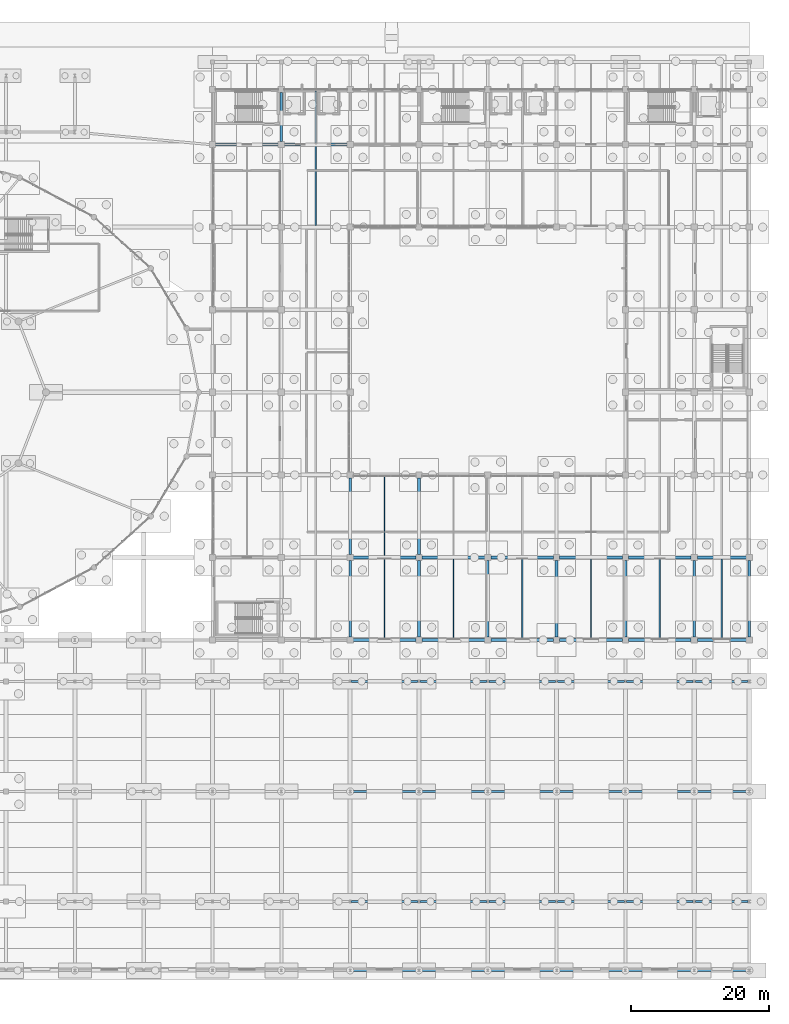
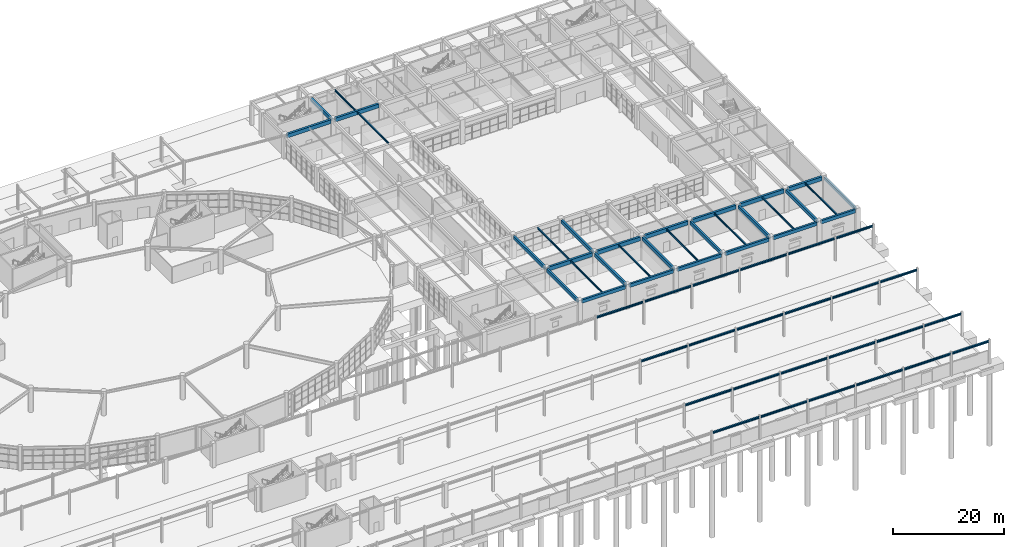
# One storey, part 53 of 99: 57 beams.
"""IFC4 building model written with IfcOpenShell, lengths in metres."""

from ifc_helpers import new_model, si_unit, direction, frame, origin, origin_2d, place, context, subcontext, project, spatial, rectangle, i_section, extrude, material, material_profile, profile_set, type_object, element, save


model = new_model("IFC4")

# Units and contexts
model_context = context("Model", 3, precision=1e-05, world=origin(), true_north=direction((0.0, 1.0)))
body_context = subcontext(model_context, "Body", "Model", "MODEL_VIEW")
ifc_project = project(units=[si_unit("LENGTHUNIT", "METRE"), si_unit("AREAUNIT", "SQUARE_METRE"), si_unit("VOLUMEUNIT", "CUBIC_METRE"), si_unit("PLANEANGLEUNIT", "RADIAN"), si_unit("MASSUNIT", "GRAM", prefix="KILO")], contexts=[model_context])

# Site, building, storey
site_placement = place(None, origin())
site = spatial("IfcSite", under=ifc_project, at=site_placement, CompositionType="ELEMENT")
building_placement = place(site_placement, origin())
building = spatial("IfcBuilding", under=site, at=building_placement, Name="Kivolera Central Railway Station", CompositionType="ELEMENT")
storey_placement = place(building_placement, origin())
storey = spatial("IfcBuildingStorey", under=building, at=storey_placement, Name="L00", CompositionType="ELEMENT", Elevation=0.0)

# Beams
ifc_material_1 = material(Name="Steel S355", Category="steel")
ifc_material_profile_1 = material_profile(ifc_material_1, i_section(OverallWidth=0.179931640625, OverallDepth=0.39990234375, WebThickness=0.008544921875, FlangeThickness=0.013427734375, FilletRadius=0.02099609375, at=origin_2d()), Name="IPE 400")
ifc_profile_set_1 = profile_set([ifc_material_profile_1], Name="Steel S355")
beam_type_1 = type_object("IfcBeamType", Name="BM-JST-IPE400", PredefinedType="JOIST", material=ifc_profile_set_1)
beam_1_placement = place(storey_placement, frame((133.0, 114.217041015625, 4.907958984375), z_axis=(0.0, 1.0, 0.0), x_axis=(-1.0, 0.0, 0.0)))
element("IfcBeam", 1, at=beam_1_placement, inside=storey, type_object=beam_type_1, Name="L00 Floor Joist 13-14/K-L", PredefinedType="JOIST", context=body_context, shape_type="SweptSolid", body=[
    extrude(i_section(OverallWidth=0.179931640625, OverallDepth=0.39990234375, WebThickness=0.008544921875, FlangeThickness=0.013427734375, FilletRadius=0.02099609375, at=origin_2d()), origin(), (0.0, 0.0, 1.0), 11.56591796875),
])
beam_2_placement = place(storey_placement, frame((133.0, 126.217041015625, 4.907958984375), z_axis=(0.0, 1.0, 0.0), x_axis=(-1.0, 0.0, 0.0)))
element("IfcBeam", 2, at=beam_2_placement, inside=storey, type_object=beam_type_1, Name="L00 Floor Joist 13-14/L-M", PredefinedType="JOIST", context=body_context, shape_type="SweptSolid", body=[
    extrude(i_section(OverallWidth=0.179931640625, OverallDepth=0.39990234375, WebThickness=0.008544921875, FlangeThickness=0.013427734375, FilletRadius=0.02099609375, at=origin_2d()), origin(), (0.0, 0.0, 1.0), 7.591064453125),
])
beam_3_placement = place(storey_placement, frame((143.0, 54.19189453125, 4.907958984375), z_axis=(0.0, 1.0, 0.0), x_axis=(-1.0, 0.0, 0.0)))
element("IfcBeam", 3, at=beam_3_placement, inside=storey, type_object=beam_type_1, Name="L00 Floor Joist 14-15/E-F", PredefinedType="JOIST", context=body_context, shape_type="SweptSolid", body=[
    extrude(i_section(OverallWidth=0.179931640625, OverallDepth=0.39990234375, WebThickness=0.008544921875, FlangeThickness=0.013427734375, FilletRadius=0.02099609375, at=origin_2d()), origin(), (0.0, 0.0, 1.0), 11.591064453125),
])
beam_4_placement = place(storey_placement, frame((143.0, 66.217041015625, 4.907958984375), z_axis=(0.0, 1.0, 0.0), x_axis=(-1.0, 0.0, 0.0)))
element("IfcBeam", 4, at=beam_4_placement, inside=storey, type_object=beam_type_1, Name="L00 Floor Joist 14-15/F-G", PredefinedType="JOIST", context=body_context, shape_type="SweptSolid", body=[
    extrude(i_section(OverallWidth=0.179931640625, OverallDepth=0.39990234375, WebThickness=0.008544921875, FlangeThickness=0.013427734375, FilletRadius=0.02099609375, at=origin_2d()), origin(), (0.0, 0.0, 1.0), 11.56591796875),
])
for number, where, z_axis, x_axis, name in (
    (5, (153.0, 54.19189453125, 4.907958984375), (0.0, 1.0, 0.0), (-1.0, 0.0, 0.0), "L00 Floor Joist 15-16/E-F"),
    (6, (163.0, 54.19189453125, 4.907958984375), (0.0, 1.0, 0.0), (-1.0, 0.0, 0.0), "L00 Floor Joist 16-17/E-F"),
    (7, (173.0, 54.19189453125, 4.907958984375), (0.0, 1.0, 0.0), (-1.0, 0.0, 0.0), "L00 Floor Joist 17-18/E-F"),
    (8, (183.0, 54.19189453125, 4.907958984375), (0.0, 1.0, 0.0), (-1.0, 0.0, 0.0), "L00 Floor Joist 18-19/E-F"),
    (9, (192.0, 54.19189453125, 4.907958984375), (0.0, 1.0, 0.0), (-1.0, 0.0, 0.0), "L00 Floor Joist 19-20/E-F"),
):
    element("IfcBeam", number, at=place(storey_placement, frame(where, z_axis=z_axis, x_axis=x_axis)), inside=storey, type_object=beam_type_1, Name=name, PredefinedType="JOIST", context=body_context, shape_type="SweptSolid", body=[
        extrude(i_section(OverallWidth=0.179931640625, OverallDepth=0.39990234375, WebThickness=0.008544921875, FlangeThickness=0.013427734375, FilletRadius=0.02099609375, at=origin_2d()), origin(), (0.0, 0.0, 1.0), 11.591064453125),
    ])
ifc_material_2 = material(Name="Concrete C40/50", Category="concrete")
ifc_material_profile_2 = material_profile(ifc_material_2, rectangle(XDim=0.39990234375, YDim=0.75, at=origin_2d()), Name="RC 400x750")
ifc_profile_set_2 = profile_set([ifc_material_profile_2], Name="Concrete C40/50")
beam_type_2 = type_object("IfcBeamType", Name="BM-RC-400x750", PredefinedType="BEAM", material=ifc_profile_set_2)
beam_5_placement = place(storey_placement, frame((128.0, 126.44189453125, 4.7451171875), z_axis=(0.0, 1.0, 0.0), x_axis=(-1.0, 0.0, 0.0)))
element("IfcBeam", 10, at=beam_5_placement, inside=storey, type_object=beam_type_2, Name="L00 Wing Y-Beam 13:L-M", PredefinedType="BEAM", context=body_context, shape_type="SweptSolid", body=[
    extrude(rectangle(XDim=0.39990234375, YDim=0.75, at=origin_2d()), origin(), (0.0, 0.0, 1.0), 7.1162109375),
])
for number, where, z_axis, x_axis, name in (
    (11, (138.0, 54.44189453125, 4.7451171875), (0.0, 1.0, 0.0), (-1.0, 0.0, 0.0), "L00 Wing Y-Beam 14:E-F"),
    (12, (138.0, 66.44189453125, 4.7451171875), (0.0, 1.0, 0.0), (-1.0, 0.0, 0.0), "L00 Wing Y-Beam 14:F-G"),
    (13, (148.0, 54.44189453125, 4.7451171875), (0.0, 1.0, 0.0), (-1.0, 0.0, 0.0), "L00 Wing Y-Beam 15:E-F"),
    (14, (148.0, 66.44189453125, 4.7451171875), (0.0, 1.0, 0.0), (-1.0, 0.0, 0.0), "L00 Wing Y-Beam 15:F-G"),
    (15, (158.0, 54.44189453125, 4.7451171875), (0.0, 1.0, 0.0), (-1.0, 0.0, 0.0), "L00 Wing Y-Beam 16:E-F"),
    (16, (168.0, 54.44189453125, 4.7451171875), (0.0, 1.0, 0.0), (-1.0, 0.0, 0.0), "L00 Wing Y-Beam 17:E-F"),
    (17, (178.0, 54.44189453125, 4.7451171875), (0.0, 1.0, 0.0), (-1.0, 0.0, 0.0), "L00 Wing Y-Beam 18:E-F"),
    (18, (188.0, 54.44189453125, 4.7451171875), (0.0, 1.0, 0.0), (-1.0, 0.0, 0.0), "L00 Wing Y-Beam 19:E-F"),
):
    element("IfcBeam", number, at=place(storey_placement, frame(where, z_axis=z_axis, x_axis=x_axis)), inside=storey, type_object=beam_type_2, Name=name, PredefinedType="BEAM", context=body_context, shape_type="SweptSolid", body=[
        extrude(rectangle(XDim=0.39990234375, YDim=0.75, at=origin_2d()), origin(), (0.0, 0.0, 1.0), 11.1162109375),
    ])
ifc_material_profile_3 = material_profile(ifc_material_2, rectangle(XDim=0.449951171875, YDim=0.85009765625, at=origin_2d()), Name="RC 450x850")
ifc_profile_set_3 = profile_set([ifc_material_profile_3], Name="Concrete C40/50")
beam_type_3 = type_object("IfcBeamType", Name="BM-RC-450x850", PredefinedType="BEAM", material=ifc_profile_set_3)
for number, where, z_axis, x_axis, name in (
    (19, (138.44189453125, 66.0, 4.695068359375), (1.0, 0.0, 0.0), (0.0, 1.0, 0.0), "L00 Wing X-Beam F:14-15"),
    (20, (148.44189453125, 66.0, 4.695068359375), (1.0, 0.0, 0.0), (0.0, 1.0, 0.0), "L00 Wing X-Beam F:15-16"),
    (21, (158.44189453125, 66.0, 4.695068359375), (1.0, 0.0, 0.0), (0.0, 1.0, 0.0), "L00 Wing X-Beam F:16-17"),
    (22, (168.44189453125, 66.0, 4.695068359375), (1.0, 0.0, 0.0), (0.0, 1.0, 0.0), "L00 Wing X-Beam F:17-18"),
    (23, (178.44189453125, 66.0, 4.695068359375), (1.0, 0.0, 0.0), (0.0, 1.0, 0.0), "L00 Wing X-Beam F:18-19"),
):
    element("IfcBeam", number, at=place(storey_placement, frame(where, z_axis=z_axis, x_axis=x_axis)), inside=storey, type_object=beam_type_3, Name=name, PredefinedType="BEAM", context=body_context, shape_type="SweptSolid", body=[
        extrude(rectangle(XDim=0.449951171875, YDim=0.85009765625, at=origin_2d()), origin(), (0.0, 0.0, 1.0), 9.1162109375),
    ])
beam_6_placement = place(storey_placement, frame((188.44189453125, 66.0, 4.695068359375), z_axis=(1.0, 0.0, 0.0), x_axis=(0.0, 1.0, 0.0)))
element("IfcBeam", 24, at=beam_6_placement, inside=storey, type_object=beam_type_3, Name="L00 Wing X-Beam F:19-20", PredefinedType="BEAM", context=body_context, shape_type="SweptSolid", body=[
    extrude(rectangle(XDim=0.449951171875, YDim=0.85009765625, at=origin_2d()), origin(), (0.0, 0.0, 1.0), 7.1162109375),
])
for number, where, z_axis, x_axis, name in (
    (25, (118.44189453125, 126.0, 4.695068359375), (1.0, 0.0, 0.0), (0.0, 1.0, 0.0), "L00 Wing X-Beam L:12-13"),
    (26, (128.44189453125, 126.0, 4.695068359375), (1.0, 0.0, 0.0), (0.0, 1.0, 0.0), "L00 Wing X-Beam L:13-14"),
):
    element("IfcBeam", number, at=place(storey_placement, frame(where, z_axis=z_axis, x_axis=x_axis)), inside=storey, type_object=beam_type_3, Name=name, PredefinedType="BEAM", context=body_context, shape_type="SweptSolid", body=[
        extrude(rectangle(XDim=0.449951171875, YDim=0.85009765625, at=origin_2d()), origin(), (0.0, 0.0, 1.0), 9.1162109375),
    ])
ifc_material_profile_4 = material_profile(ifc_material_1, i_section(OverallWidth=0.300048828125, OverallDepth=0.389892578125, WebThickness=0.010986328125, FlangeThickness=0.01904296875, FilletRadius=0.027099609375, at=origin_2d()), Name="HEA 400")
ifc_profile_set_4 = profile_set([ifc_material_profile_4], Name="Steel S355")
beam_type_4 = type_object("IfcBeamType", Name="BM-SHD-HEA400", PredefinedType="BEAM", material=ifc_profile_set_4)
for number, where, z_axis, x_axis, name in (
    (27, (138.14697265625, 6.0, 4.919921875), (1.0, 0.0, 0.0), (0.0, 1.0, 0.0), "Train Shed Longitudinal Tie Beam A:14-15"),
    (28, (138.14697265625, 16.0, 4.919921875), (1.0, 0.0, 0.0), (0.0, 1.0, 0.0), "Train Shed Longitudinal Tie Beam B:14-15"),
    (29, (138.14697265625, 32.0, 4.919921875), (1.0, 0.0, 0.0), (0.0, 1.0, 0.0), "Train Shed Longitudinal Tie Beam C:14-15"),
    (30, (138.14697265625, 48.0, 4.919921875), (1.0, 0.0, 0.0), (0.0, 1.0, 0.0), "Train Shed Longitudinal Tie Beam D:14-15"),
    (31, (148.14697265625, 6.0, 4.919921875), (1.0, 0.0, 0.0), (0.0, 1.0, 0.0), "Train Shed Longitudinal Tie Beam A:15-16"),
    (32, (148.14697265625, 16.0, 4.919921875), (1.0, 0.0, 0.0), (0.0, 1.0, 0.0), "Train Shed Longitudinal Tie Beam B:15-16"),
    (33, (148.14697265625, 32.0, 4.919921875), (1.0, 0.0, 0.0), (0.0, 1.0, 0.0), "Train Shed Longitudinal Tie Beam C:15-16"),
    (34, (148.14697265625, 48.0, 4.919921875), (1.0, 0.0, 0.0), (0.0, 1.0, 0.0), "Train Shed Longitudinal Tie Beam D:15-16"),
    (35, (158.14697265625, 6.0, 4.919921875), (1.0, 0.0, 0.0), (0.0, 1.0, 0.0), "Train Shed Longitudinal Tie Beam A:16-17"),
    (36, (158.14697265625, 16.0, 4.919921875), (1.0, 0.0, 0.0), (0.0, 1.0, 0.0), "Train Shed Longitudinal Tie Beam B:16-17"),
    (37, (158.14697265625, 32.0, 4.919921875), (1.0, 0.0, 0.0), (0.0, 1.0, 0.0), "Train Shed Longitudinal Tie Beam C:16-17"),
    (38, (158.14697265625, 48.0, 4.919921875), (1.0, 0.0, 0.0), (0.0, 1.0, 0.0), "Train Shed Longitudinal Tie Beam D:16-17"),
    (39, (168.14697265625, 6.0, 4.919921875), (1.0, 0.0, 0.0), (0.0, 1.0, 0.0), "Train Shed Longitudinal Tie Beam A:17-18"),
    (40, (168.14697265625, 16.0, 4.919921875), (1.0, 0.0, 0.0), (0.0, 1.0, 0.0), "Train Shed Longitudinal Tie Beam B:17-18"),
    (41, (168.14697265625, 32.0, 4.919921875), (1.0, 0.0, 0.0), (0.0, 1.0, 0.0), "Train Shed Longitudinal Tie Beam C:17-18"),
    (42, (168.14697265625, 48.0, 4.919921875), (1.0, 0.0, 0.0), (0.0, 1.0, 0.0), "Train Shed Longitudinal Tie Beam D:17-18"),
    (43, (178.14697265625, 6.0, 4.919921875), (1.0, 0.0, 0.0), (0.0, 1.0, 0.0), "Train Shed Longitudinal Tie Beam A:18-19"),
    (44, (178.14697265625, 16.0, 4.919921875), (1.0, 0.0, 0.0), (0.0, 1.0, 0.0), "Train Shed Longitudinal Tie Beam B:18-19"),
    (45, (178.14697265625, 32.0, 4.919921875), (1.0, 0.0, 0.0), (0.0, 1.0, 0.0), "Train Shed Longitudinal Tie Beam C:18-19"),
    (46, (178.14697265625, 48.0, 4.919921875), (1.0, 0.0, 0.0), (0.0, 1.0, 0.0), "Train Shed Longitudinal Tie Beam D:18-19"),
):
    element("IfcBeam", number, at=place(storey_placement, frame(where, z_axis=z_axis, x_axis=x_axis)), inside=storey, type_object=beam_type_4, Name=name, PredefinedType="BEAM", context=body_context, shape_type="SweptSolid", body=[
        extrude(i_section(OverallWidth=0.300048828125, OverallDepth=0.389892578125, WebThickness=0.010986328125, FlangeThickness=0.01904296875, FilletRadius=0.027099609375, at=origin_2d()), origin(), (0.0, 0.0, 1.0), 9.7060546875),
    ])
for number, where, z_axis, x_axis, name in (
    (47, (188.14697265625, 6.0, 4.919921875), (1.0, 0.0, 0.0), (0.0, 1.0, 0.0), "Train Shed Longitudinal Tie Beam A:19-20"),
    (48, (188.14697265625, 16.0, 4.919921875), (1.0, 0.0, 0.0), (0.0, 1.0, 0.0), "Train Shed Longitudinal Tie Beam B:19-20"),
    (49, (188.14697265625, 32.0, 4.919921875), (1.0, 0.0, 0.0), (0.0, 1.0, 0.0), "Train Shed Longitudinal Tie Beam C:19-20"),
    (50, (188.14697265625, 48.0, 4.919921875), (1.0, 0.0, 0.0), (0.0, 1.0, 0.0), "Train Shed Longitudinal Tie Beam D:19-20"),
):
    element("IfcBeam", number, at=place(storey_placement, frame(where, z_axis=z_axis, x_axis=x_axis)), inside=storey, type_object=beam_type_4, Name=name, PredefinedType="BEAM", context=body_context, shape_type="SweptSolid", body=[
        extrude(i_section(OverallWidth=0.300048828125, OverallDepth=0.389892578125, WebThickness=0.010986328125, FlangeThickness=0.01904296875, FilletRadius=0.027099609375, at=origin_2d()), origin(), (0.0, 0.0, 1.0), 7.676025390625),
    ])
ifc_material_profile_5 = material_profile(ifc_material_2, rectangle(XDim=0.35009765625, YDim=0.64990234375, at=origin_2d()), Name="RC 350x650")
ifc_profile_set_5 = profile_set([ifc_material_profile_5], Name="Concrete C40/50")
beam_type_5 = type_object("IfcBeamType", Name="BM-SPN-RC650", PredefinedType="SPANDREL", material=ifc_profile_set_5)
beam_7_placement = place(storey_placement, frame((196.0, 54.44189453125, 4.794921875), z_axis=(0.0, 1.0, 0.0), x_axis=(-1.0, 0.0, 0.0)))
element("IfcBeam", 51, at=beam_7_placement, inside=storey, type_object=beam_type_5, Name="L00 Wing Y-Beam 20:E-F", PredefinedType="SPANDREL", context=body_context, shape_type="SweptSolid", body=[
    extrude(rectangle(XDim=0.35009765625, YDim=0.64990234375, at=origin_2d()), origin(), (0.0, 0.0, 1.0), 11.1162109375),
])
ifc_material_profile_6 = material_profile(ifc_material_2, rectangle(XDim=0.39990234375, YDim=0.75, at=origin_2d()), Name="RC 400x750")
ifc_profile_set_6 = profile_set([ifc_material_profile_6], Name="Concrete C40/50")
beam_type_6 = type_object("IfcBeamType", Name="BM-SPN-RC750", PredefinedType="SPANDREL", material=ifc_profile_set_6)
for number, where, z_axis, x_axis, name in (
    (52, (138.44189453125, 54.0, 4.7451171875), (1.0, 0.0, 0.0), (0.0, 1.0, 0.0), "L00 Wing X-Beam E:14-15"),
    (53, (148.44189453125, 54.0, 4.7451171875), (1.0, 0.0, 0.0), (0.0, 1.0, 0.0), "L00 Wing X-Beam E:15-16"),
    (54, (158.44189453125, 54.0, 4.7451171875), (1.0, 0.0, 0.0), (0.0, 1.0, 0.0), "L00 Wing X-Beam E:16-17"),
    (55, (168.44189453125, 54.0, 4.7451171875), (1.0, 0.0, 0.0), (0.0, 1.0, 0.0), "L00 Wing X-Beam E:17-18"),
    (56, (178.44189453125, 54.0, 4.7451171875), (1.0, 0.0, 0.0), (0.0, 1.0, 0.0), "L00 Wing X-Beam E:18-19"),
):
    element("IfcBeam", number, at=place(storey_placement, frame(where, z_axis=z_axis, x_axis=x_axis)), inside=storey, type_object=beam_type_6, Name=name, PredefinedType="SPANDREL", context=body_context, shape_type="SweptSolid", body=[
        extrude(rectangle(XDim=0.39990234375, YDim=0.75, at=origin_2d()), origin(), (0.0, 0.0, 1.0), 9.1162109375),
    ])
beam_8_placement = place(storey_placement, frame((188.44189453125, 54.0, 4.7451171875), z_axis=(1.0, 0.0, 0.0), x_axis=(0.0, 1.0, 0.0)))
element("IfcBeam", 57, at=beam_8_placement, inside=storey, type_object=beam_type_6, Name="L00 Wing X-Beam E:19-20", PredefinedType="SPANDREL", context=body_context, shape_type="SweptSolid", body=[
    extrude(rectangle(XDim=0.39990234375, YDim=0.75, at=origin_2d()), origin(), (0.0, 0.0, 1.0), 7.1162109375),
])

save(model, "model.ifc")
